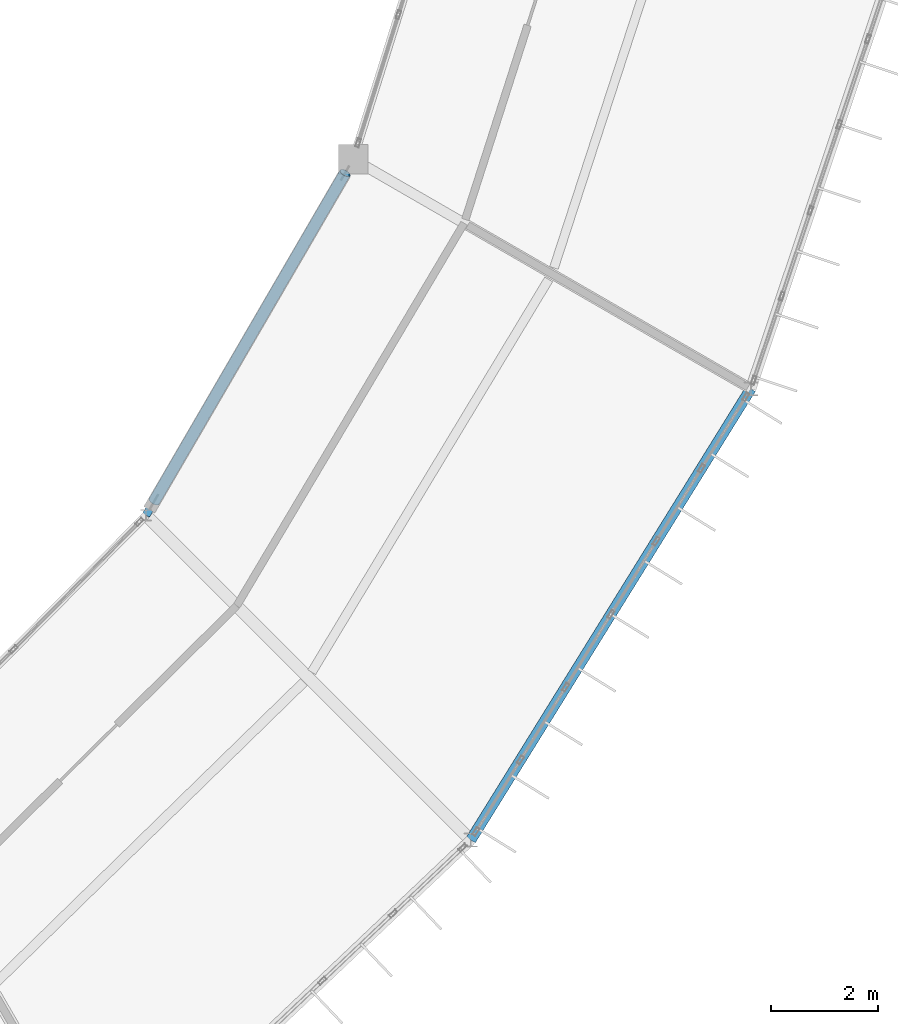
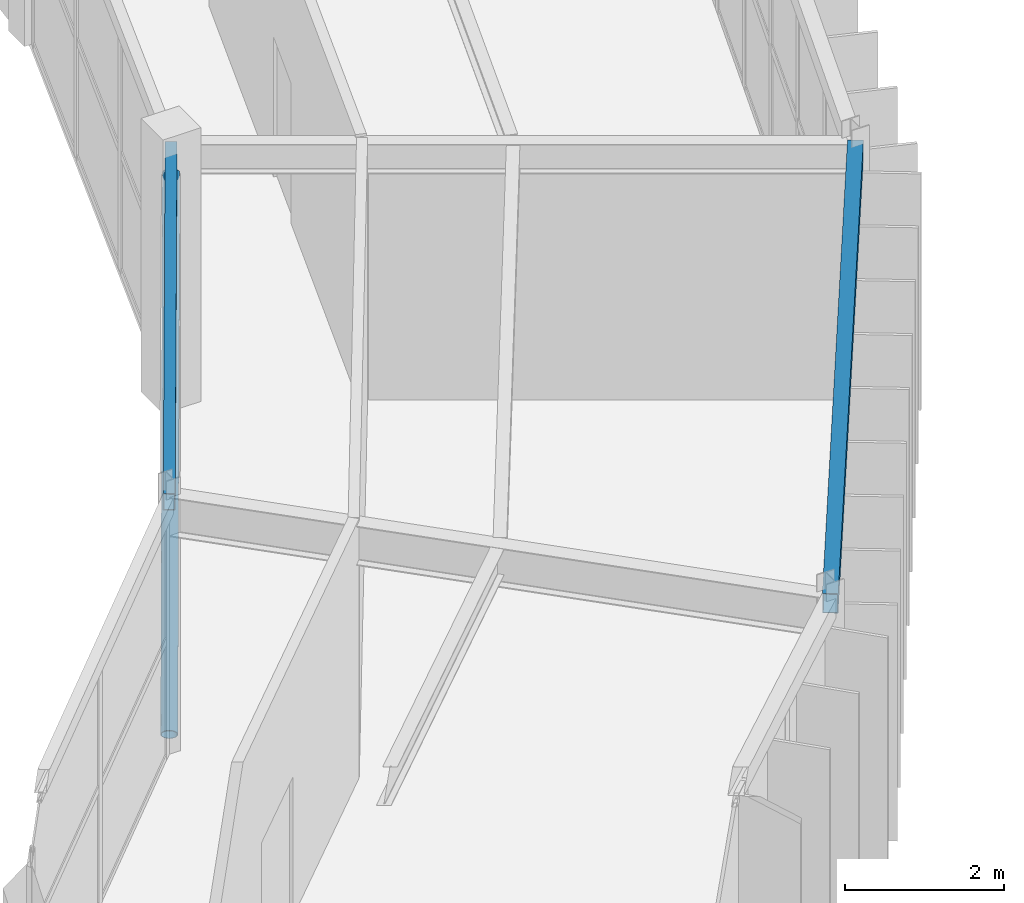
# One storey, part 62 of 157: 2 beams, 1 member.
"""IFC4 building model written with IfcOpenShell, lengths in metres."""

from ifc_helpers import new_model, si_unit, direction, frame, origin, origin_2d, place, context, subcontext, project, spatial, hollow_rectangle, hollow_circle, extrude, material, material_profile, profile_set, type_object, element, save


model = new_model("IFC4")

# Units and contexts
model_context = context("Model", 3, precision=1e-05, world=origin(), true_north=direction((0.0, 1.0)))
body_context = subcontext(model_context, "Body", "Model", "MODEL_VIEW")
ifc_project = project(units=[si_unit("LENGTHUNIT", "METRE"), si_unit("AREAUNIT", "SQUARE_METRE"), si_unit("VOLUMEUNIT", "CUBIC_METRE"), si_unit("PLANEANGLEUNIT", "RADIAN"), si_unit("MASSUNIT", "GRAM", prefix="KILO")], contexts=[model_context])

# Site, building, storey
site_placement = place(None, origin())
site = spatial("IfcSite", under=ifc_project, at=site_placement, CompositionType="ELEMENT")
building_placement = place(site_placement, origin())
building = spatial("IfcBuilding", under=site, at=building_placement, Name="Karori Crest Natural Sciences Institute", CompositionType="ELEMENT")
storey_placement = place(building_placement, frame((0.0, 0.0, 13.300048828125)))
storey = spatial("IfcBuildingStorey", under=building, at=storey_placement, Name="L03", CompositionType="ELEMENT", Elevation=13.300048828125)

# Beams
ifc_material = material(Name="Hollow structural steel AS/NZS 1163 Grade C350", Category="steel")
ifc_material_profile_1 = material_profile(ifc_material, hollow_rectangle(XDim=0.199951171875, YDim=0.300048828125, WallThickness=0.010009765625, at=origin_2d()), Name="RHS300x200x10")
ifc_profile_set_1 = profile_set([ifc_material_profile_1], Name="Hollow structural steel AS/NZS 1163 Grade C350")
beam_type_1 = type_object("IfcBeamType", Name="BT-15", PredefinedType="SPANDREL", material=ifc_profile_set_1)
beam_1_placement = place(storey_placement, frame((89.734619140625, 21.050048828125, 3.7900390625), z_axis=(0.527315195609, 0.849669750244, 0.0), x_axis=(-0.849669750244, 0.527315195609, 0.0)))
element("IfcBeam", 1, at=beam_1_placement, inside=storey, type_object=beam_type_1, Name="Beam B-0440", PredefinedType="SPANDREL", context=body_context, shape_type="SweptSolid", body=[
    extrude(hollow_rectangle(XDim=0.199951171875, YDim=0.300048828125, WallThickness=0.010009765625, at=origin_2d()), origin(), (0.0, 0.0, 1.0), 9.945068359375),
])
ifc_material_profile_2 = material_profile(ifc_material, hollow_rectangle(XDim=0.14990234375, YDim=0.25, WallThickness=0.009033203125, at=origin_2d()), Name="RHS250x150x9")
ifc_profile_set_2 = profile_set([ifc_material_profile_2], Name="Hollow structural steel AS/NZS 1163 Grade C350")
beam_type_2 = type_object("IfcBeamType", Name="BT-16", PredefinedType="SPANDREL", material=ifc_profile_set_2)
beam_2_placement = place(storey_placement, frame((83.6533203125, 27.131103515625, 3.7900390625), z_axis=(0.502658410953, 0.864485119536, 0.0), x_axis=(-0.864485119536, 0.502658410953, 0.0)))
element("IfcBeam", 2, at=beam_2_placement, inside=storey, type_object=beam_type_2, Name="Beam B-0441", PredefinedType="SPANDREL", context=body_context, shape_type="SweptSolid", body=[
    extrude(hollow_rectangle(XDim=0.14990234375, YDim=0.25, WallThickness=0.009033203125, at=origin_2d()), origin(), (0.0, 0.0, 1.0), 7.71435546875),
])

# Member
ifc_material_profile_3 = material_profile(ifc_material, hollow_circle(Radius=0.109619140625, WallThickness=0.00830078125, at=origin_2d()), Name="CHS219.1x8.2")
ifc_profile_set_3 = profile_set([ifc_material_profile_3], Name="Hollow structural steel AS/NZS 1163 Grade C350")
member_type = type_object("IfcMemberType", Name="MT-02", PredefinedType="BRACE", material=ifc_profile_set_3)
member_placement = place(storey_placement, frame((83.80419921875, 27.390380859375, 0.010009765625), z_axis=(0.447468818063, 0.769620704899, 0.455472971155), x_axis=(-0.864499904405, 0.502632982686, 0.0)))
element("IfcMember", 3, at=member_placement, inside=storey, type_object=member_type, Name="Diagonal Brace M-0020", PredefinedType="BRACE", context=body_context, shape_type="SweptSolid", body=[
    extrude(hollow_circle(Radius=0.109619140625, WallThickness=0.00830078125, at=origin_2d()), origin(), (0.0, 0.0, 1.0), 7.991455078125),
])

save(model, "model.ifc")
